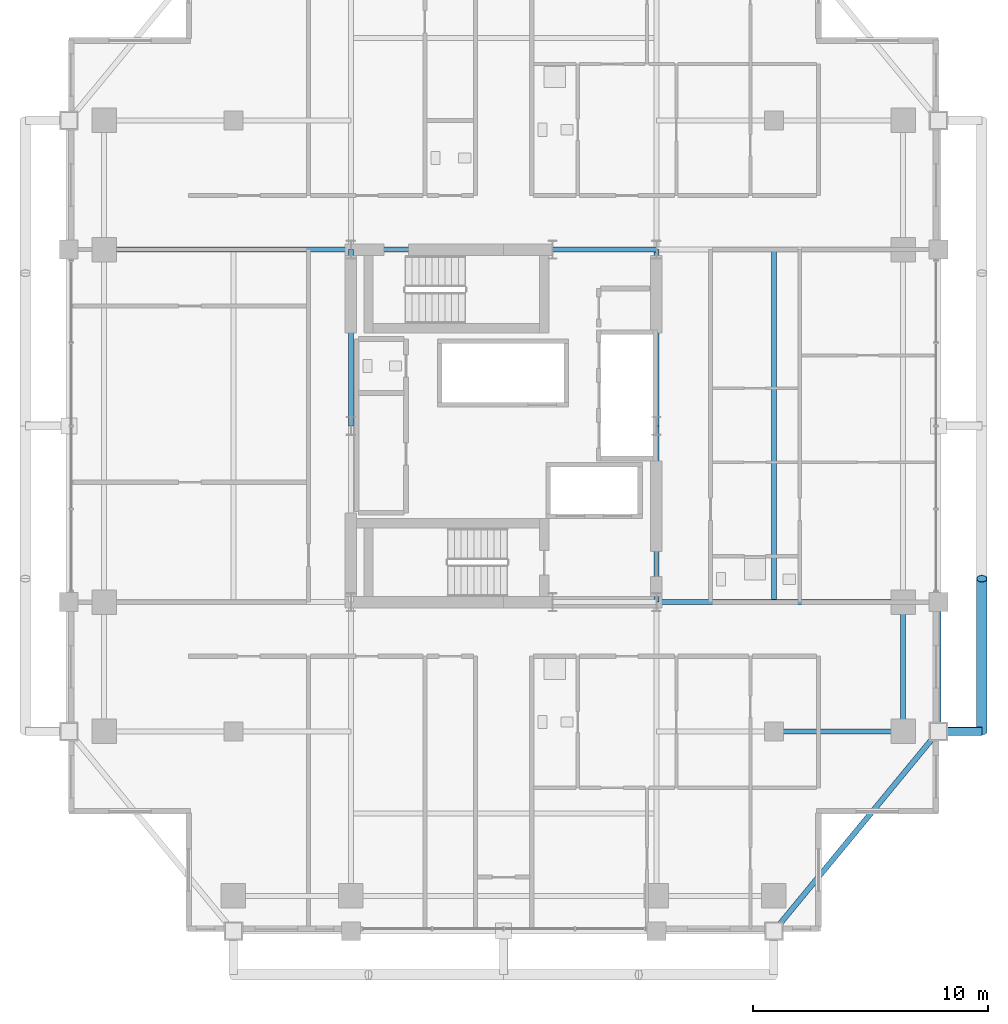
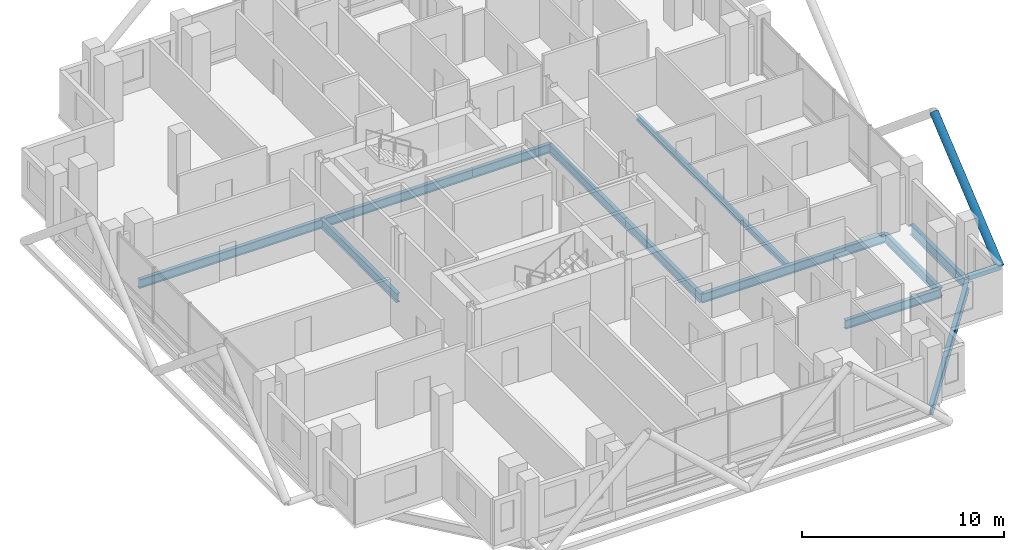
# One storey, part 10 of 26: 12 beams, 2 members.
"""IFC4 building model written with IfcOpenShell, lengths in metres."""

from ifc_helpers import new_model, si_unit, direction, frame, origin, origin_2d, place, context, subcontext, project, spatial, hollow_circle, i_section, extrude, material, material_profile, profile_set, type_object, element, save


model = new_model("IFC4")

# Units and contexts
model_context = context("Model", 3, precision=1e-05, world=origin(), true_north=direction((0.0, 1.0)))
body_context = subcontext(model_context, "Body", "Model", "MODEL_VIEW")
ifc_project = project(units=[si_unit("LENGTHUNIT", "METRE"), si_unit("AREAUNIT", "SQUARE_METRE"), si_unit("VOLUMEUNIT", "CUBIC_METRE"), si_unit("PLANEANGLEUNIT", "RADIAN"), si_unit("MASSUNIT", "GRAM", prefix="KILO")], contexts=[model_context])

# Site, building, storey
site_placement = place(None, origin())
site = spatial("IfcSite", under=ifc_project, at=site_placement, CompositionType="ELEMENT")
building_placement = place(site_placement, origin())
building = spatial("IfcBuilding", under=site, at=building_placement, Name="Barlavira Tower and Art Museum", CompositionType="ELEMENT")
storey_placement = place(building_placement, frame((0.0, 0.0, 176.39990234375)))
storey = spatial("IfcBuildingStorey", under=building, at=storey_placement, Name="L45", CompositionType="ELEMENT", Elevation=176.39990234375)

# Members
ifc_material = material(Name="Steel S355", Category="steel")
ifc_material_profile_1 = material_profile(ifc_material, hollow_circle(Radius=0.228515625, WallThickness=0.02001953125, at=origin_2d()), Name="CHS 457.0x20.0")
ifc_profile_set_1 = profile_set([ifc_material_profile_1], Name="Steel S355")
member_type_1 = type_object("IfcMemberType", Name="Pale-Metal Exoskeleton Diagrid Tube CHS 457x20 Steel S355", PredefinedType="BRACE", material=ifc_profile_set_1)
member_1_placement = place(storey_placement, frame((20.35009765625, -13.0, -0.119873046875), z_axis=(0.0, 0.769196053329, 0.639012857104), x_axis=(-1.0, 0.0, 0.0)))
element("IfcMember", 1, at=member_1_placement, inside=storey, type_object=member_type_1, Name="L45 Exoskeleton Diagrid Tube E", PredefinedType="BRACE", context=body_context, shape_type="SweptSolid", body=[
    extrude(hollow_circle(Radius=0.228515625, WallThickness=0.02001953125, at=origin_2d()), origin(), (0.0, 0.0, 1.0), 8.450439453125),
])
ifc_material_profile_2 = material_profile(ifc_material, hollow_circle(Radius=0.177734375, WallThickness=0.01611328125, at=origin_2d()), Name="CHS 355.6x16.0")
ifc_profile_set_2 = profile_set([ifc_material_profile_2], Name="Steel S355")
member_type_2 = type_object("IfcMemberType", Name="Pale-Metal Exoskeleton Tie Strut CHS 356x16 Steel S355", PredefinedType="STRUT", material=ifc_profile_set_2)
member_2_placement = place(storey_placement, frame((20.35009765625, -13.0, -0.119873046875), z_axis=(-1.0, 0.0, 0.0), x_axis=(0.0, -1.0, 0.0)))
element("IfcMember", 2, at=member_2_placement, inside=storey, type_object=member_type_2, Name="L45 Exoskeleton Tie Strut E1", PredefinedType="STRUT", context=body_context, shape_type="SweptSolid", body=[
    extrude(hollow_circle(Radius=0.177734375, WallThickness=0.01611328125, at=origin_2d()), origin(), (0.0, 0.0, 1.0), 1.85009765625),
])

# Beams
ifc_material_profile_3 = material_profile(ifc_material, i_section(OverallWidth=0.22998046875, OverallDepth=0.616943359375, WebThickness=0.01318359375, FlangeThickness=0.022216796875, at=origin_2d()), Name="W610x140.0")
ifc_profile_set_3 = profile_set([ifc_material_profile_3], Name="Steel S355")
beam_type_1 = type_object("IfcBeamType", Name="Upper Shaft Spandrel Edge Beam W610x140 Steel S355", PredefinedType="SPANDREL", material=ifc_profile_set_3)
beam_1_placement = place(storey_placement, frame((11.5, -21.5, -0.5283203125), z_axis=(0.635707252861, 0.771930235617, 0.0), x_axis=(-0.771930235617, 0.635707252861, 0.0)))
element("IfcBeam", 3, at=beam_1_placement, inside=storey, type_object=beam_type_1, Name="L45 Spandrel 4", PredefinedType="SPANDREL", context=body_context, shape_type="SweptSolid", body=[
    extrude(i_section(OverallWidth=0.22998046875, OverallDepth=0.616943359375, WebThickness=0.01318359375, FlangeThickness=0.022216796875, at=origin_2d()), origin(), (0.0, 0.0, 1.0), 11.011474609375),
])
beam_2_placement = place(storey_placement, frame((18.5, -13.0, -0.5283203125), z_axis=(0.0, 1.0, 0.0), x_axis=(-1.0, 0.0, 0.0)))
element("IfcBeam", 4, at=beam_2_placement, inside=storey, type_object=beam_type_1, Name="L45 Spandrel 5", PredefinedType="SPANDREL", context=body_context, shape_type="SweptSolid", body=[
    extrude(i_section(OverallWidth=0.22998046875, OverallDepth=0.616943359375, WebThickness=0.01318359375, FlangeThickness=0.022216796875, at=origin_2d()), origin(), (0.0, 0.0, 1.0), 5.5),
])
ifc_material_profile_4 = material_profile(ifc_material, i_section(OverallWidth=0.205078125, OverallDepth=0.35400390625, WebThickness=0.009521484375, FlangeThickness=0.016845703125, at=origin_2d()), Name="W360x79.0")
ifc_profile_set_4 = profile_set([ifc_material_profile_4], Name="Steel S355")
beam_type_2 = type_object("IfcBeamType", Name="Zone 3 Composite Floor Joist W360x79 Steel S355", PredefinedType="JOIST", material=ifc_profile_set_4)
beam_3_placement = place(storey_placement, frame((11.5, -7.5, -0.39697265625), z_axis=(0.0, 1.0, 0.0), x_axis=(-1.0, 0.0, 0.0)))
element("IfcBeam", 5, at=beam_3_placement, inside=storey, type_object=beam_type_2, Name="L45 Joist W2", PredefinedType="JOIST", context=body_context, shape_type="SweptSolid", body=[
    extrude(i_section(OverallWidth=0.205078125, OverallDepth=0.35400390625, WebThickness=0.009521484375, FlangeThickness=0.016845703125, at=origin_2d()), origin(), (0.0, 0.0, 1.0), 15.0),
])
ifc_material_profile_5 = material_profile(ifc_material, i_section(OverallWidth=0.2109375, OverallDepth=0.5390625, WebThickness=0.01171875, FlangeThickness=0.018798828125, at=origin_2d()), Name="W530x109.0")
ifc_profile_set_5 = profile_set([ifc_material_profile_5], Name="Steel S355")
beam_type_3 = type_object("IfcBeamType", Name="Zone 3-4 Primary Floor Girder W530x109 Steel S355", PredefinedType="BEAM", material=ifc_profile_set_5)
beam_4_placement = place(storey_placement, frame((-6.5, 7.5, -0.489501953125), z_axis=(1.0, 0.0, 0.0), x_axis=(0.0, 1.0, 0.0)))
element("IfcBeam", 6, at=beam_4_placement, inside=storey, type_object=beam_type_3, Name="L45 Girder C-N1", PredefinedType="BEAM", context=body_context, shape_type="SweptSolid", body=[
    extrude(i_section(OverallWidth=0.2109375, OverallDepth=0.5390625, WebThickness=0.01171875, FlangeThickness=0.018798828125, at=origin_2d()), origin(), (0.0, 0.0, 1.0), 8.580078125),
])
beam_5_placement = place(storey_placement, frame((2.080078125, 7.5, -0.489501953125), z_axis=(1.0, 0.0, 0.0), x_axis=(0.0, 1.0, 0.0)))
element("IfcBeam", 7, at=beam_5_placement, inside=storey, type_object=beam_type_3, Name="L45 Girder C-N2", PredefinedType="BEAM", context=body_context, shape_type="SweptSolid", body=[
    extrude(i_section(OverallWidth=0.2109375, OverallDepth=0.5390625, WebThickness=0.01171875, FlangeThickness=0.018798828125, at=origin_2d()), origin(), (0.0, 0.0, 1.0), 4.419921875),
])
for number, where, z_axis, x_axis, name in (
    (8, (-6.5, 0.0, -0.489501953125), (0.0, 1.0, 0.0), (-1.0, 0.0, 0.0), "L45 Girder C-W2"),
    (9, (6.5, -7.5, -0.489501953125), (0.0, 1.0, 0.0), (-1.0, 0.0, 0.0), "L45 Girder C-E1"),
    (10, (6.5, 0.0, -0.489501953125), (0.0, 1.0, 0.0), (-1.0, 0.0, 0.0), "L45 Girder C-E2"),
):
    element("IfcBeam", number, at=place(storey_placement, frame(where, z_axis=z_axis, x_axis=x_axis)), inside=storey, type_object=beam_type_3, Name=name, PredefinedType="BEAM", context=body_context, shape_type="SweptSolid", body=[
        extrude(i_section(OverallWidth=0.2109375, OverallDepth=0.5390625, WebThickness=0.01171875, FlangeThickness=0.018798828125, at=origin_2d()), origin(), (0.0, 0.0, 1.0), 7.5),
    ])
beam_6_placement = place(storey_placement, frame((17.0, -13.0, -0.489501953125), z_axis=(0.0, 1.0, 0.0), x_axis=(-1.0, 0.0, 0.0)))
element("IfcBeam", 11, at=beam_6_placement, inside=storey, type_object=beam_type_3, Name="L45 Girder M-E1", PredefinedType="BEAM", context=body_context, shape_type="SweptSolid", body=[
    extrude(i_section(OverallWidth=0.2109375, OverallDepth=0.5390625, WebThickness=0.01171875, FlangeThickness=0.018798828125, at=origin_2d()), origin(), (0.0, 0.0, 1.0), 5.5),
])
for number, where, z_axis, x_axis, name in (
    (12, (-17.0, 7.5, -0.489501953125), (1.0, 0.0, 0.0), (0.0, 1.0, 0.0), "L45 Girder R-W2"),
    (13, (6.5, -7.5, -0.489501953125), (1.0, 0.0, 0.0), (0.0, 1.0, 0.0), "L45 Girder R-E1"),
):
    element("IfcBeam", number, at=place(storey_placement, frame(where, z_axis=z_axis, x_axis=x_axis)), inside=storey, type_object=beam_type_3, Name=name, PredefinedType="BEAM", context=body_context, shape_type="SweptSolid", body=[
        extrude(i_section(OverallWidth=0.2109375, OverallDepth=0.5390625, WebThickness=0.01171875, FlangeThickness=0.018798828125, at=origin_2d()), origin(), (0.0, 0.0, 1.0), 10.5),
    ])
beam_7_placement = place(storey_placement, frame((11.5, -13.0, -0.489501953125), z_axis=(1.0, 0.0, 0.0), x_axis=(0.0, 1.0, 0.0)))
element("IfcBeam", 14, at=beam_7_placement, inside=storey, type_object=beam_type_3, Name="L45 Girder I-S4", PredefinedType="BEAM", context=body_context, shape_type="SweptSolid", body=[
    extrude(i_section(OverallWidth=0.2109375, OverallDepth=0.5390625, WebThickness=0.01171875, FlangeThickness=0.018798828125, at=origin_2d()), origin(), (0.0, 0.0, 1.0), 5.5),
])

save(model, "model.ifc")
